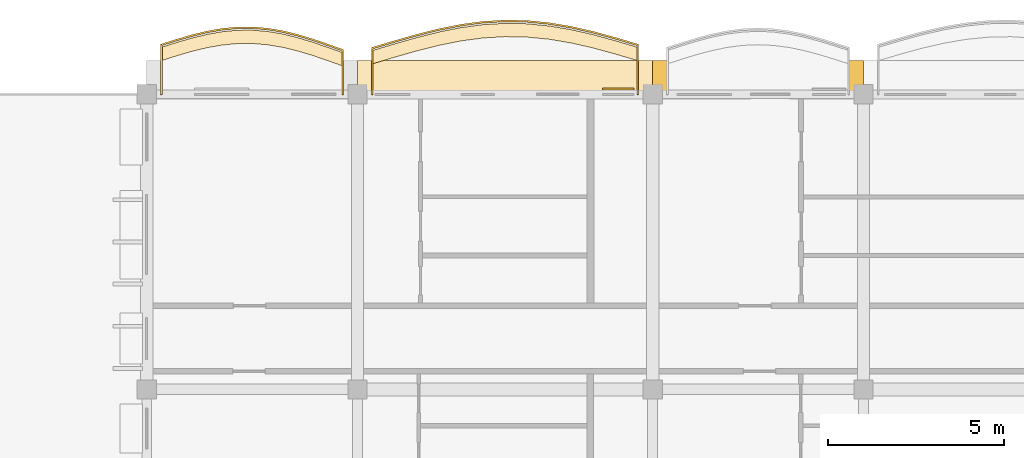
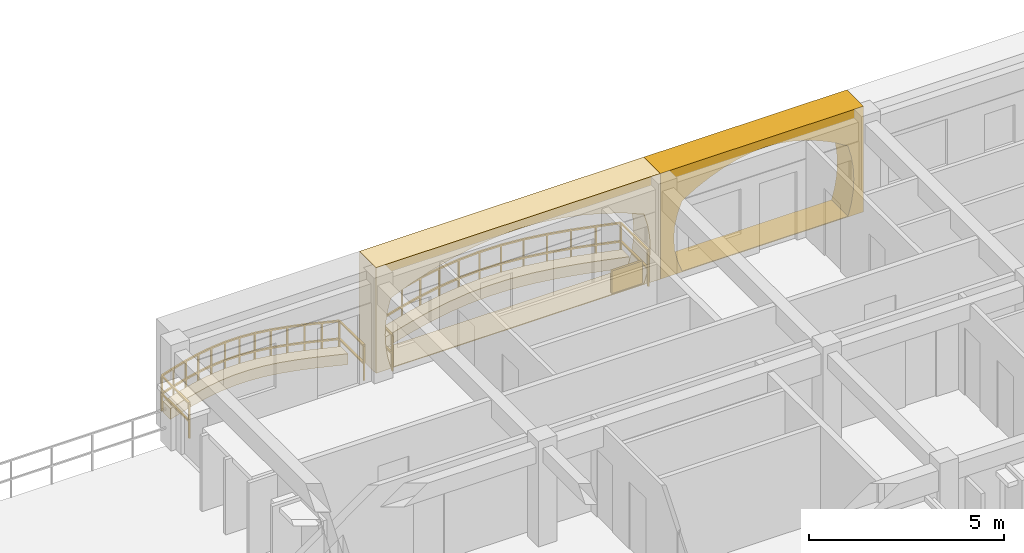
# One storey, part 40 of 45: 5 coverings, 2 railings.
"""IFC4 building model written with IfcOpenShell, lengths in metres."""

import ifcopenshell
import ifcopenshell.guid

model = None  # the IFC model being written
_history = None  # IfcOwnerHistory: only IFC2X3 demands one
_inside = {}  # id of a spatial element -> (the spatial element, [elements in it])
_under = {}  # id of a project, library or spatial element -> (it, [spatial elements below it])
_declared = {}  # id of a project -> (the project, [libraries it declares])
_typed = {}  # id of a type object -> (the type object, [elements of that type])
_made_of = {}  # id of a material, layer set ... -> (it, [elements and type objects made of it])


def new_model(schema):
    """Start an empty IFC model of exactly this schema.

    Asked for "IFC4X3", IfcOpenShell would pick the latest addendum, in which some entities
    have other attributes; the version numbers below select the first issue.
    IFC2X3 requires an IfcOwnerHistory on every rooted entity: one is made here for all.
    """
    global model, _history
    if schema == "IFC4X3":
        model = ifcopenshell.file(schema_version=(4, 3, 0, 0))
    else:
        model = ifcopenshell.file(schema=schema)
    _inside.clear()
    _under.clear()
    _declared.clear()
    _typed.clear()
    _made_of.clear()
    _history = None
    if model.schema == "IFC2X3":
        org = make("IfcOrganization", Name="unknown")
        user = make(
            "IfcPersonAndOrganization",
            ThePerson=make("IfcPerson", FamilyName="unknown"),
            TheOrganization=org,
        )
        app = make(
            "IfcApplication",
            ApplicationDeveloper=org,
            Version="unknown",
            ApplicationFullName="unknown",
            ApplicationIdentifier="unknown",
        )
        _history = make(
            "IfcOwnerHistory",
            OwningUser=user,
            OwningApplication=app,
            ChangeAction="ADDED",
            CreationDate=0,
        )
    return model


def make(cls, **values):
    """One entity of the class cls with the attributes given. An attribute that is None is left unset."""
    return model.create_entity(
        cls, **{name: value for name, value in values.items() if value is not None}
    )


def rooted(cls, **values):
    """An entity with a GlobalId (a new one), such as an element, a storey or a relation."""
    return make(cls, GlobalId=ifcopenshell.guid.new(), OwnerHistory=_history, **values)


def si_unit(unit_type, name, prefix=None):
    """IfcSIUnit, for example si_unit("LENGTHUNIT", "METRE", prefix="MILLI")."""
    return make("IfcSIUnit", UnitType=unit_type, Prefix=prefix, Name=name)


def assignment(units):
    """IfcUnitAssignment: the units of a project."""
    return None if units is None else make("IfcUnitAssignment", Units=units)


def point(xyz):
    """IfcCartesianPoint."""
    return None if xyz is None else make("IfcCartesianPoint", Coordinates=xyz)


def direction(xyz):
    """IfcDirection."""
    return None if xyz is None else make("IfcDirection", DirectionRatios=xyz)


def frame(location, z_axis=None, x_axis=None):
    """IfcAxis2Placement3D, a coordinate frame: its origin and axes. An axis left out is left unset."""
    return make(
        "IfcAxis2Placement3D",
        Location=point(location),
        Axis=direction(z_axis),
        RefDirection=direction(x_axis),
    )


def frame_2d(location, x_axis=None):
    """IfcAxis2Placement2D, a coordinate frame in the plane: its origin and x axis."""
    return make(
        "IfcAxis2Placement2D", Location=point(location), RefDirection=direction(x_axis)
    )


def origin():
    """The frame at (0, 0, 0) with its axes left unset."""
    return frame((0.0, 0.0, 0.0))


def origin_2d():
    """The frame at (0, 0) in the plane with its x axis left unset."""
    return frame_2d((0.0, 0.0))


def place(relative_to, where):
    """IfcLocalPlacement: puts the frame where relative to a parent placement (None: the world)."""
    return make(
        "IfcLocalPlacement", PlacementRelTo=relative_to, RelativePlacement=where
    )


def context(
    kind, dimensions, precision=None, world=None, true_north=None, identifier=None
):
    """IfcGeometricRepresentationContext, for example the 3D "Model" context."""
    return make(
        "IfcGeometricRepresentationContext",
        ContextIdentifier=identifier,
        ContextType=kind,
        CoordinateSpaceDimension=dimensions,
        Precision=precision,
        WorldCoordinateSystem=world,
        TrueNorth=true_north,
    )


def subcontext(parent, identifier, kind, view, scale=None):
    """IfcGeometricRepresentationSubContext, for example "Body" below "Model"."""
    return make(
        "IfcGeometricRepresentationSubContext",
        ContextIdentifier=identifier,
        ContextType=kind,
        ParentContext=parent,
        TargetScale=scale,
        TargetView=view,
    )


def project(units=None, contexts=None):
    """IfcProject with its units and contexts."""
    return rooted(
        "IfcProject",
        Name="project",
        RepresentationContexts=contexts,
        UnitsInContext=assignment(units),
    )


def spatial(cls, under=None, at=None, **own):
    """A site, building, storey or space (cls), placed at a placement, below another one or the project."""
    s = rooted(cls, ObjectPlacement=at, **own)
    if under is not None:
        _under.setdefault(under.id(), (under, []))[1].append(s)
    return s


def polyline(points):
    """IfcPolyline through the points."""
    return make("IfcPolyline", Points=[point(p) for p in points])


def profile(cls, at=None, kind="AREA", **sizes):
    """A parametric profile (cls). Its sizes go by their IFC names, for example OverallWidth=200.0."""
    return make(cls, ProfileType=kind, Position=at, **sizes)


def rectangle(**sizes):
    """IfcRectangleProfileDef."""
    return profile("IfcRectangleProfileDef", **sizes)


def outline(outer, holes=None, kind="AREA"):
    """IfcArbitraryClosedProfileDef: a profile drawn as a closed curve; with holes, ...WithVoids."""
    if holes is None:
        return make("IfcArbitraryClosedProfileDef", ProfileType=kind, OuterCurve=outer)
    return make(
        "IfcArbitraryProfileDefWithVoids",
        ProfileType=kind,
        OuterCurve=outer,
        InnerCurves=holes,
    )


def extrude(swept, where, along, depth):
    """IfcExtrudedAreaSolid: the profile swept, set in the frame where, extruded along a direction by depth."""
    return make(
        "IfcExtrudedAreaSolid",
        SweptArea=swept,
        Position=where,
        ExtrudedDirection=direction(along),
        Depth=depth,
    )


def shape(context_of_items, identifier, shape_type, items):
    """IfcShapeRepresentation: the items that make up one representation, for example the "Body"."""
    return make(
        "IfcShapeRepresentation",
        ContextOfItems=context_of_items,
        RepresentationIdentifier=identifier,
        RepresentationType=shape_type,
        Items=items,
    )


def material(Name=None, Category=None):
    """IfcMaterial."""
    return make("IfcMaterial", Name=Name, Category=Category)


def layer(
    of_material, thickness, ventilated=None, Name=None, Category=None, Priority=None
):
    """IfcMaterialLayer: one layer of a wall or slab, of a material (None: an air gap)."""
    return make(
        "IfcMaterialLayer",
        Material=of_material,
        LayerThickness=thickness,
        IsVentilated=ventilated,
        Name=Name,
        Category=Category,
        Priority=Priority,
    )


def layer_set(layers, Name=None):
    """IfcMaterialLayerSet."""
    return make("IfcMaterialLayerSet", MaterialLayers=layers, LayerSetName=Name)


def made_of(thing, what):
    """Note that an element or type object is made of a material, layer set ...; save() writes the relation."""
    if what is not None:
        _made_of.setdefault(what.id(), (what, []))[1].append(thing)
    return thing


def type_object(cls, material=None, **own):
    """A type object (cls), such as IfcWallType, which elements share."""
    return made_of(rooted(cls, **own), material)


def element(
    cls,
    number,
    at=None,
    inside=None,
    cuts=None,
    type_object=None,
    material=None,
    context=None,
    identifier="Body",
    shape_type=None,
    held_by="IfcProductDefinitionShape",
    body=None,
    shapes=None,
    **own,
):
    """One element of the class cls, such as IfcWall. Its Tag is "e" and its number.

    at: its placement. inside: the storey or other place that contains it. cuts: it is an
    opening in that element (IfcRelVoidsElement). A single representation is given by context,
    identifier, shape_type and body (its items); several are given by shapes. held_by: the class
    of the entity that holds the representations. save() writes the other relations.
    """
    e = rooted(cls, Tag="e%d" % number, ObjectPlacement=at, **own)
    if body is not None:
        shapes = [shape(context, identifier, shape_type, body)]
    if shapes is not None:
        e.Representation = make(held_by, Representations=shapes)
    if inside is not None:
        _inside.setdefault(inside.id(), (inside, []))[1].append(e)
    if cuts is not None:
        rooted(
            "IfcRelVoidsElement", RelatingBuildingElement=cuts, RelatedOpeningElement=e
        )
    if type_object is not None:
        _typed.setdefault(type_object.id(), (type_object, []))[1].append(e)
    return made_of(e, material)


def aggregate(whole, parts):
    """IfcRelAggregates: a whole, such as a stair, and the parts it consists of."""
    return rooted("IfcRelAggregates", RelatingObject=whole, RelatedObjects=parts)


def save(model, path):
    """Write the relations noted so far, then the file.

    IfcRelAggregates (storeys below a building ...), IfcRelContainedInSpatialStructure (elements
    in a storey), IfcRelDefinesByType, IfcRelAssociatesMaterial and IfcRelDeclares: one each for
    every whole, place, type object, material and project.
    """
    for whole, parts in _under.values():
        aggregate(whole, parts)
    for where, things in _inside.values():
        rooted(
            "IfcRelContainedInSpatialStructure",
            RelatedElements=things,
            RelatingStructure=where,
        )
    for kind, things in _typed.values():
        rooted("IfcRelDefinesByType", RelatedObjects=things, RelatingType=kind)
    for what, things in _made_of.values():
        rooted("IfcRelAssociatesMaterial", RelatedObjects=things, RelatingMaterial=what)
    for by, libraries in _declared.values():
        rooted("IfcRelDeclares", RelatingContext=by, RelatedDefinitions=libraries)
    model.write(path)


model = new_model("IFC4")

# Units and contexts
model_context = context("Model", 3, precision=1e-05, world=origin(), true_north=direction((0.0, 1.0)))
body_context = subcontext(model_context, "Body", "Model", "MODEL_VIEW")
ifc_project = project(units=[si_unit("LENGTHUNIT", "METRE"), si_unit("AREAUNIT", "SQUARE_METRE"), si_unit("VOLUMEUNIT", "CUBIC_METRE"), si_unit("PLANEANGLEUNIT", "RADIAN"), si_unit("MASSUNIT", "GRAM", prefix="KILO"), si_unit("THERMODYNAMICTEMPERATUREUNIT", "KELVIN")], contexts=[model_context])

# Site, building, storey
site_placement = place(None, origin())
site = spatial("IfcSite", under=ifc_project, at=site_placement, CompositionType="ELEMENT")
building_placement = place(site_placement, origin())
building = spatial("IfcBuilding", under=site, at=building_placement, Name="Thalorik Housing Commons", CompositionType="ELEMENT")
storey_placement = place(building_placement, frame((0.0, 0.0, 34.5)))
storey = spatial("IfcBuildingStorey", under=building, at=storey_placement, Name="L10", CompositionType="ELEMENT", Elevation=34.5)

# Coverings
ifc_material_1 = material(Name="Cobalt blue glazed ceramic facade tile panel", Category="masonry")
ifc_layer_1 = layer(ifc_material_1, 0.06005859375, Name="Cobalt blue glazed ceramic facade tile panel", Category="masonry")
ifc_layer_set_1 = layer_set([ifc_layer_1], Name="Cobalt blue glazed ceramic facade tile panel")
covering_type_1 = type_object("IfcCoveringType", Name="ARC-CLD-BLU-60", PredefinedType="CLADDING", material=ifc_layer_set_1)
covering_1_placement = place(storey_placement, frame((122.6201171875, 123.74755859375, 0.0498046875), z_axis=(0.0, 0.0, 1.0), x_axis=(-1.0, 0.0, 0.0)))
element("IfcCovering", 1, at=covering_1_placement, inside=storey, type_object=covering_type_1, Name="L10 De Stijl Recessed Window Spandrel 3051", PredefinedType="CLADDING", context=body_context, shape_type="SweptSolid", body=[
    extrude(rectangle(XDim=0.89990234375, YDim=0.06005859375, at=origin_2d()), origin(), (0.0, 0.0, 1.0), 0.699951171875),
])
ifc_material_2 = material(Name="Precast concrete C40/50", Category="concrete")
ifc_layer_2 = layer(ifc_material_2, 0.85009765625, Name="Precast concrete C40/50", Category="concrete")
ifc_layer_set_2 = layer_set([ifc_layer_2], Name="Precast concrete C40/50")
covering_type_2 = type_object("IfcCoveringType", Name="ARC-CLD-CUSH-850", PredefinedType="CLADDING", material=ifc_layer_set_2)
covering_2_placement = place(storey_placement, frame((126.60009765625, 124.137451171875, 0.0), z_axis=(0.0, 0.0, 1.0), x_axis=(-1.0, 0.0, 0.0)))
element("IfcCovering", 2, at=covering_2_placement, inside=storey, type_object=covering_type_2, Name="L10 White Precast Curved Cushion Bay Frame 3048", PredefinedType="CLADDING", context=body_context, shape_type="SweptSolid", body=[
    extrude(outline(polyline([(-3.0, 0.0), (3.0, 0.0), (3.0, 3.300048828125), (-3.0, 3.300048828125), (-3.0, 0.0)]), holes=[polyline([(2.356201171875, 0.02490234375), (2.4921875, 0.390869140625), (2.57373046875, 0.756591796875), (2.600830078125, 1.12255859375), (2.57373046875, 1.48828125), (2.4921875, 1.854248046875), (2.356201171875, 2.219970703125), (1.947998046875, 2.469482421875), (1.53955078125, 2.66552734375), (1.131103515625, 2.824462890625), (0.722900390625, 2.9423828125), (0.314453125, 3.015380859375), (-0.09375, 3.0400390625), (-0.502197265625, 3.015380859375), (-0.910400390625, 2.9423828125), (-1.31884765625, 2.824462890625), (-1.72705078125, 2.66552734375), (-2.135498046875, 2.469482421875), (-2.543701171875, 2.219970703125), (-2.64013671875, 1.854248046875), (-2.697998046875, 1.48828125), (-2.71728515625, 1.12255859375), (-2.697998046875, 0.756591796875), (-2.64013671875, 0.390869140625), (-2.543701171875, 0.02490234375), (2.356201171875, 0.02490234375)])]), frame((0.0, 0.425048828125, 0.0), z_axis=(0.0, -1.0, 0.0), x_axis=(1.0, 0.0, 0.0)), (0.0, 0.0, 1.0), 0.85009765625),
])
covering_3_placement = place(storey_placement, frame((119.39990234375, 124.137451171875, 0.0), z_axis=(0.0, 0.0, 1.0), x_axis=(-1.0, 0.0, 0.0)))
element("IfcCovering", 3, at=covering_3_placement, inside=storey, type_object=covering_type_2, Name="L10 White Precast Curved Cushion Bay Frame 3050", PredefinedType="CLADDING", context=body_context, shape_type="SweptSolid", body=[
    extrude(outline(polyline([(-4.199951171875, 0.0), (4.199951171875, 0.0), (4.199951171875, 3.300048828125), (-4.199951171875, 3.300048828125), (-4.199951171875, 0.0)]), holes=[polyline([(3.75830078125, 0.02490234375), (3.8515625, 0.387451171875), (3.907470703125, 0.75), (3.926025390625, 1.112548828125), (3.907470703125, 1.47509765625), (3.8515625, 1.83740234375), (3.75830078125, 2.199951171875), (3.135009765625, 2.455810546875), (2.51171875, 2.656494140625), (1.888671875, 2.819091796875), (1.265380859375, 2.940185546875), (0.642333984375, 3.014892578125), (0.01904296875, 3.0400390625), (-0.60400390625, 3.014892578125), (-1.227294921875, 2.940185546875), (-1.850341796875, 2.819091796875), (-2.4736328125, 2.656494140625), (-3.0966796875, 2.455810546875), (-3.719970703125, 2.199951171875), (-3.8212890625, 1.83740234375), (-3.882080078125, 1.47509765625), (-3.90234375, 1.112548828125), (-3.882080078125, 0.75), (-3.8212890625, 0.387451171875), (-3.719970703125, 0.02490234375), (3.75830078125, 0.02490234375)])]), frame((0.0, 0.425048828125, 0.0), z_axis=(0.0, -1.0, 0.0), x_axis=(1.0, 0.0, 0.0)), (0.0, 0.0, 1.0), 0.85009765625),
])
ifc_material_3 = material(Name="Planted vegetated substrate and terracotta trough", Category="masonry")
ifc_layer_3 = layer(ifc_material_3, 0.340087890625, Name="Planted vegetated substrate and terracotta trough", Category="masonry")
ifc_layer_set_3 = layer_set([ifc_layer_3], Name="Planted vegetated substrate and terracotta trough")
covering_type_3 = type_object("IfcCoveringType", Name="ARC-COV-PLANTER", PredefinedType="USERDEFINED", material=ifc_layer_set_3)
covering_4_placement = place(storey_placement, origin())
element("IfcCovering", 4, at=covering_4_placement, inside=storey, type_object=covering_type_3, Name="L10 Balcony Slab-Edge Planted Trough 5540", ObjectType="PLANTER", PredefinedType="USERDEFINED", context=body_context, shape_type="SweptSolid", body=[
    extrude(outline(polyline([(114.780029296875, 124.786865234375), (114.35009765625, 124.939697265625), (113.919921875, 125.086181640625), (113.489990234375, 125.2158203125), (113.06005859375, 125.31982421875), (112.6298828125, 125.391845703125), (112.199951171875, 125.427001953125), (111.77001953125, 125.423095703125), (111.340087890625, 125.381591796875), (110.909912109375, 125.305419921875), (110.47998046875, 125.20068359375), (110.050048828125, 125.075439453125), (109.6201171875, 124.938720703125), (109.6201171875, 124.55859375), (110.050048828125, 124.695556640625), (110.47998046875, 124.82080078125), (110.909912109375, 124.925537109375), (111.340087890625, 125.001708984375), (111.77001953125, 125.043212890625), (112.199951171875, 125.046875), (112.6298828125, 125.01171875), (113.06005859375, 124.93994140625), (113.489990234375, 124.835693359375), (113.919921875, 124.7060546875), (114.35009765625, 124.559814453125), (114.780029296875, 124.40673828125), (114.780029296875, 124.786865234375)])), origin(), (0.0, 0.0, 1.0), 0.340087890625),
])
covering_5_placement = place(storey_placement, origin())
element("IfcCovering", 5, at=covering_5_placement, inside=storey, type_object=covering_type_3, Name="L10 Balcony Slab-Edge Planted Trough 5541", ObjectType="PLANTER", PredefinedType="USERDEFINED", context=body_context, shape_type="SweptSolid", body=[
    extrude(outline(polyline([(123.179931640625, 124.935791015625), (122.550048828125, 125.12353515625), (121.919921875, 125.29541015625), (121.2900390625, 125.439697265625), (120.659912109375, 125.54638671875), (120.030029296875, 125.6083984375), (119.39990234375, 125.620849609375), (118.77001953125, 125.58349609375), (118.139892578125, 125.4990234375), (117.510009765625, 125.372802734375), (116.8798828125, 125.21435546875), (116.25, 125.0341796875), (115.6201171875, 124.844970703125), (115.6201171875, 124.465087890625), (116.25, 124.654296875), (116.8798828125, 124.834228515625), (117.510009765625, 124.992919921875), (118.139892578125, 125.118896484375), (118.77001953125, 125.20361328125), (119.39990234375, 125.240966796875), (120.030029296875, 125.228271484375), (120.659912109375, 125.16650390625), (121.2900390625, 125.059814453125), (121.919921875, 124.91552734375), (122.550048828125, 124.743408203125), (123.179931640625, 124.555908203125), (123.179931640625, 124.935791015625)])), origin(), (0.0, 0.0, 1.0), 0.340087890625),
])

# Railings
ifc_material_4 = material(Name="Steel S355", Category="steel")
railing_type_1 = type_object("IfcRailingType", Name="ARC-RL-BAL-112", PredefinedType="BALUSTRADE", material=ifc_material_4)
railing_1_placement = place(storey_placement, frame((114.780029296875, 123.60009765625, 0.0)))
element("IfcRailing", 6, at=railing_1_placement, inside=storey, type_object=railing_type_1, Name="L10 Cushion Balcony Guardrail 224", PredefinedType="BALUSTRADE", context=body_context, shape_type="SweptSolid", body=[
    extrude(rectangle(XDim=0.050048828125, YDim=0.050048828125, at=origin_2d()), frame((0.0, 0.0, 1.09521484375), z_axis=(0.0, 1.0, 0.0), x_axis=(-1.0, 0.0, 0.0)), (0.0, 0.0, 1.0), 1.256591796875),
    extrude(rectangle(XDim=0.050048828125, YDim=0.050048828125, at=origin_2d()), frame((0.0, 0.0, 0.53515625), z_axis=(0.0, 1.0, 0.0), x_axis=(-1.0, 0.0, 0.0)), (0.0, 0.0, 1.0), 1.256591796875),
    extrude(rectangle(XDim=0.050048828125, YDim=0.050048828125, at=origin_2d()), frame((0.0, 1.256591796875, 1.09521484375), z_axis=(-0.942068253885, 0.335421235199, 0.0), x_axis=(-0.335421235199, -0.942068253885, 0.0)), (0.0, 0.0, 1.0), 0.456298828125),
    extrude(rectangle(XDim=0.050048828125, YDim=0.050048828125, at=origin_2d()), frame((0.0, 1.256591796875, 0.53515625), z_axis=(-0.942068253885, 0.335421235199, 0.0), x_axis=(-0.335421235199, -0.942068253885, 0.0)), (0.0, 0.0, 1.0), 0.456298828125),
    extrude(rectangle(XDim=0.050048828125, YDim=0.050048828125, at=origin_2d()), frame((-0.429931640625, 1.40966796875, 1.09521484375), z_axis=(-0.94678584509, 0.321864200459, 0.0), x_axis=(-0.321864200459, -0.94678584509, 0.0)), (0.0, 0.0, 1.0), 0.454345703125),
    extrude(rectangle(XDim=0.050048828125, YDim=0.050048828125, at=origin_2d()), frame((-0.429931640625, 1.40966796875, 0.53515625), z_axis=(-0.94678584509, 0.321864200459, 0.0), x_axis=(-0.321864200459, -0.94678584509, 0.0)), (0.0, 0.0, 1.0), 0.454345703125),
    extrude(rectangle(XDim=0.050048828125, YDim=0.050048828125, at=origin_2d()), frame((-0.860107421875, 1.555908203125, 1.09521484375), z_axis=(-0.957421319012, 0.28869433299, 0.0), x_axis=(-0.28869433299, -0.957421319012, 0.0)), (0.0, 0.0, 1.0), 0.448974609375),
    extrude(rectangle(XDim=0.050048828125, YDim=0.050048828125, at=origin_2d()), frame((-0.860107421875, 1.555908203125, 0.53515625), z_axis=(-0.957421319012, 0.28869433299, 0.0), x_axis=(-0.28869433299, -0.957421319012, 0.0)), (0.0, 0.0, 1.0), 0.448974609375),
    extrude(rectangle(XDim=0.050048828125, YDim=0.050048828125, at=origin_2d()), frame((-1.2900390625, 1.685546875, 1.09521484375), z_axis=(-0.971838617266, 0.235647410319, 0.0), x_axis=(-0.235647410319, -0.971838617266, 0.0)), (0.0, 0.0, 1.0), 0.4423828125),
    extrude(rectangle(XDim=0.050048828125, YDim=0.050048828125, at=origin_2d()), frame((-1.2900390625, 1.685546875, 0.53515625), z_axis=(-0.971838617266, 0.235647410319, 0.0), x_axis=(-0.235647410319, -0.971838617266, 0.0)), (0.0, 0.0, 1.0), 0.4423828125),
    extrude(rectangle(XDim=0.050048828125, YDim=0.050048828125, at=origin_2d()), frame((-1.719970703125, 1.789794921875, 1.09521484375), z_axis=(-0.986272630359, 0.165125099862, 0.0), x_axis=(-0.165125099862, -0.986272630359, 0.0)), (0.0, 0.0, 1.0), 0.436279296875),
    extrude(rectangle(XDim=0.050048828125, YDim=0.050048828125, at=origin_2d()), frame((-1.719970703125, 1.789794921875, 0.53515625), z_axis=(-0.986272630359, 0.165125099862, 0.0), x_axis=(-0.165125099862, -0.986272630359, 0.0)), (0.0, 0.0, 1.0), 0.436279296875),
    extrude(rectangle(XDim=0.050048828125, YDim=0.050048828125, at=origin_2d()), frame((-2.150146484375, 1.86181640625, 1.09521484375), z_axis=(-0.996719183002, 0.080937446433, 0.0), x_axis=(-0.080937446433, -0.996719183002, 0.0)), (0.0, 0.0, 1.0), 0.431396484375),
    extrude(rectangle(XDim=0.050048828125, YDim=0.050048828125, at=origin_2d()), frame((-2.150146484375, 1.86181640625, 0.53515625), z_axis=(-0.996719183002, 0.080937446433, 0.0), x_axis=(-0.080937446433, -0.996719183002, 0.0)), (0.0, 0.0, 1.0), 0.431396484375),
    extrude(rectangle(XDim=0.050048828125, YDim=0.050048828125, at=origin_2d()), frame((-2.580078125, 1.896728515625, 1.09521484375), z_axis=(-0.99996372477, -0.008517578576, 0.0), x_axis=(0.008517578576, -0.99996372477, 0.0)), (0.0, 0.0, 1.0), 0.429931640625),
    extrude(rectangle(XDim=0.050048828125, YDim=0.050048828125, at=origin_2d()), frame((-2.580078125, 1.896728515625, 0.53515625), z_axis=(-0.99996372477, -0.008517578576, 0.0), x_axis=(0.008517578576, -0.99996372477, 0.0)), (0.0, 0.0, 1.0), 0.429931640625),
    extrude(rectangle(XDim=0.050048828125, YDim=0.050048828125, at=origin_2d()), frame((-3.010009765625, 1.89306640625, 1.09521484375), z_axis=(-0.995372711657, -0.096089358877, 0.0), x_axis=(0.096089358877, -0.995372711657, 0.0)), (0.0, 0.0, 1.0), 0.431884765625),
    extrude(rectangle(XDim=0.050048828125, YDim=0.050048828125, at=origin_2d()), frame((-3.010009765625, 1.89306640625, 0.53515625), z_axis=(-0.995372711657, -0.096089358877, 0.0), x_axis=(0.096089358877, -0.995372711657, 0.0)), (0.0, 0.0, 1.0), 0.431884765625),
    extrude(rectangle(XDim=0.050048828125, YDim=0.050048828125, at=origin_2d()), frame((-3.43994140625, 1.8515625, 1.09521484375), z_axis=(-0.984682124694, -0.174359150343, 0.0), x_axis=(0.174359150343, -0.984682124694, 0.0)), (0.0, 0.0, 1.0), 0.436767578125),
    extrude(rectangle(XDim=0.050048828125, YDim=0.050048828125, at=origin_2d()), frame((-3.43994140625, 1.8515625, 0.53515625), z_axis=(-0.984682124694, -0.174359150343, 0.0), x_axis=(0.174359150343, -0.984682124694, 0.0)), (0.0, 0.0, 1.0), 0.436767578125),
    extrude(rectangle(XDim=0.050048828125, YDim=0.050048828125, at=origin_2d()), frame((-3.8701171875, 1.775390625, 1.09521484375), z_axis=(-0.971585356615, -0.236689448034, 0.0), x_axis=(0.236689448034, -0.971585356615, 0.0)), (0.0, 0.0, 1.0), 0.442626953125),
    extrude(rectangle(XDim=0.050048828125, YDim=0.050048828125, at=origin_2d()), frame((-3.8701171875, 1.775390625, 0.53515625), z_axis=(-0.971585356615, -0.236689448034, 0.0), x_axis=(0.236689448034, -0.971585356615, 0.0)), (0.0, 0.0, 1.0), 0.442626953125),
    extrude(rectangle(XDim=0.050048828125, YDim=0.050048828125, at=origin_2d()), frame((-4.300048828125, 1.670654296875, 1.09521484375), z_axis=(-0.960091541697, -0.27968595167, 0.0), x_axis=(0.27968595167, -0.960091541697, 0.0)), (0.0, 0.0, 1.0), 0.44775390625),
    extrude(rectangle(XDim=0.050048828125, YDim=0.050048828125, at=origin_2d()), frame((-4.300048828125, 1.670654296875, 0.53515625), z_axis=(-0.960091541697, -0.27968595167, 0.0), x_axis=(0.27968595167, -0.960091541697, 0.0)), (0.0, 0.0, 1.0), 0.44775390625),
    extrude(rectangle(XDim=0.050048828125, YDim=0.050048828125, at=origin_2d()), frame((-4.72998046875, 1.54541015625, 1.09521484375), z_axis=(-0.952975516976, -0.30304729671, 0.0), x_axis=(0.30304729671, -0.952975516976, 0.0)), (0.0, 0.0, 1.0), 0.451171875),
    extrude(rectangle(XDim=0.050048828125, YDim=0.050048828125, at=origin_2d()), frame((-4.72998046875, 1.54541015625, 0.53515625), z_axis=(-0.952975516976, -0.30304729671, 0.0), x_axis=(0.30304729671, -0.952975516976, 0.0)), (0.0, 0.0, 1.0), 0.451171875),
    extrude(rectangle(XDim=0.050048828125, YDim=0.050048828125, at=origin_2d()), frame((-5.159912109375, 1.40869140625, 1.09521484375), z_axis=(0.0, -1.0, 0.0), x_axis=(1.0, 0.0, 0.0)), (0.0, 0.0, 1.0), 1.40869140625),
    extrude(rectangle(XDim=0.050048828125, YDim=0.050048828125, at=origin_2d()), frame((-5.159912109375, 1.40869140625, 0.53515625), z_axis=(0.0, -1.0, 0.0), x_axis=(1.0, 0.0, 0.0)), (0.0, 0.0, 1.0), 1.40869140625),
    extrude(rectangle(XDim=0.0419921875, YDim=0.0419921875, at=origin_2d()), origin(), (0.0, 0.0, 1.0), 1.070068359375),
    extrude(rectangle(XDim=0.0419921875, YDim=0.0419921875, at=origin_2d()), frame((0.0, 1.256591796875, 0.0)), (0.0, 0.0, 1.0), 1.070068359375),
    extrude(rectangle(XDim=0.0419921875, YDim=0.0419921875, at=origin_2d()), frame((-0.429931640625, 1.40966796875, 0.0)), (0.0, 0.0, 1.0), 1.070068359375),
    extrude(rectangle(XDim=0.0419921875, YDim=0.0419921875, at=origin_2d()), frame((-0.860107421875, 1.555908203125, 0.0)), (0.0, 0.0, 1.0), 1.070068359375),
    extrude(rectangle(XDim=0.0419921875, YDim=0.0419921875, at=origin_2d()), frame((-1.2900390625, 1.685546875, 0.0)), (0.0, 0.0, 1.0), 1.070068359375),
    extrude(rectangle(XDim=0.0419921875, YDim=0.0419921875, at=origin_2d()), frame((-1.719970703125, 1.789794921875, 0.0)), (0.0, 0.0, 1.0), 1.070068359375),
    extrude(rectangle(XDim=0.0419921875, YDim=0.0419921875, at=origin_2d()), frame((-2.150146484375, 1.86181640625, 0.0)), (0.0, 0.0, 1.0), 1.070068359375),
    extrude(rectangle(XDim=0.0419921875, YDim=0.0419921875, at=origin_2d()), frame((-2.580078125, 1.896728515625, 0.0)), (0.0, 0.0, 1.0), 1.070068359375),
    extrude(rectangle(XDim=0.0419921875, YDim=0.0419921875, at=origin_2d()), frame((-3.010009765625, 1.89306640625, 0.0)), (0.0, 0.0, 1.0), 1.070068359375),
    extrude(rectangle(XDim=0.0419921875, YDim=0.0419921875, at=origin_2d()), frame((-3.43994140625, 1.8515625, 0.0)), (0.0, 0.0, 1.0), 1.070068359375),
    extrude(rectangle(XDim=0.0419921875, YDim=0.0419921875, at=origin_2d()), frame((-3.8701171875, 1.775390625, 0.0)), (0.0, 0.0, 1.0), 1.070068359375),
    extrude(rectangle(XDim=0.0419921875, YDim=0.0419921875, at=origin_2d()), frame((-4.300048828125, 1.670654296875, 0.0)), (0.0, 0.0, 1.0), 1.070068359375),
    extrude(rectangle(XDim=0.0419921875, YDim=0.0419921875, at=origin_2d()), frame((-4.72998046875, 1.54541015625, 0.0)), (0.0, 0.0, 1.0), 1.070068359375),
    extrude(rectangle(XDim=0.0419921875, YDim=0.0419921875, at=origin_2d()), frame((-5.159912109375, 1.40869140625, 0.0)), (0.0, 0.0, 1.0), 1.070068359375),
    extrude(rectangle(XDim=0.0419921875, YDim=0.0419921875, at=origin_2d()), frame((-5.159912109375, 0.0, 0.0)), (0.0, 0.0, 1.0), 1.070068359375),
])
railing_type_2 = type_object("IfcRailingType", Name="ARC-RL-BAL-115", PredefinedType="BALUSTRADE", material=ifc_material_4)
railing_2_placement = place(storey_placement, frame((123.179931640625, 123.60009765625, 0.0)))
element("IfcRailing", 7, at=railing_2_placement, inside=storey, type_object=railing_type_2, Name="L10 Cushion Balcony Guardrail 225", PredefinedType="BALUSTRADE", context=body_context, shape_type="SweptSolid", body=[
    extrude(rectangle(XDim=0.050048828125, YDim=0.050048828125, at=origin_2d()), frame((0.0, 0.0, 1.125), z_axis=(0.0, 1.0, 0.0), x_axis=(-1.0, 0.0, 0.0)), (0.0, 0.0, 1.0), 1.40576171875),
    extrude(rectangle(XDim=0.050048828125, YDim=0.050048828125, at=origin_2d()), frame((0.0, 0.0, 0.5498046875), z_axis=(0.0, 1.0, 0.0), x_axis=(-1.0, 0.0, 0.0)), (0.0, 0.0, 1.0), 1.40576171875),
    extrude(rectangle(XDim=0.050048828125, YDim=0.050048828125, at=origin_2d()), frame((0.0, 1.40576171875, 1.125), z_axis=(-0.958335936708, 0.285643540825, 0.0), x_axis=(-0.285643540825, -0.958335936708, 0.0)), (0.0, 0.0, 1.0), 0.6572265625),
    extrude(rectangle(XDim=0.050048828125, YDim=0.050048828125, at=origin_2d()), frame((0.0, 1.40576171875, 0.5498046875), z_axis=(-0.958335936708, 0.285643540825, 0.0), x_axis=(-0.285643540825, -0.958335936708, 0.0)), (0.0, 0.0, 1.0), 0.6572265625),
    extrude(rectangle(XDim=0.050048828125, YDim=0.050048828125, at=origin_2d()), frame((-0.6298828125, 1.593505859375, 1.125), z_axis=(-0.964755194768, 0.26314903414, 0.0), x_axis=(-0.26314903414, -0.964755194768, 0.0)), (0.0, 0.0, 1.0), 0.653076171875),
    extrude(rectangle(XDim=0.050048828125, YDim=0.050048828125, at=origin_2d()), frame((-0.6298828125, 1.593505859375, 0.5498046875), z_axis=(-0.964755194768, 0.26314903414, 0.0), x_axis=(-0.26314903414, -0.964755194768, 0.0)), (0.0, 0.0, 1.0), 0.653076171875),
    extrude(rectangle(XDim=0.050048828125, YDim=0.050048828125, at=origin_2d()), frame((-1.260009765625, 1.765380859375, 1.125), z_axis=(-0.97475287979, 0.223286415487, 0.0), x_axis=(-0.223286415487, -0.97475287979, 0.0)), (0.0, 0.0, 1.0), 0.646240234375),
    extrude(rectangle(XDim=0.050048828125, YDim=0.050048828125, at=origin_2d()), frame((-1.260009765625, 1.765380859375, 0.5498046875), z_axis=(-0.97475287979, 0.223286415487, 0.0), x_axis=(-0.223286415487, -0.97475287979, 0.0)), (0.0, 0.0, 1.0), 0.646240234375),
    extrude(rectangle(XDim=0.050048828125, YDim=0.050048828125, at=origin_2d()), frame((-1.889892578125, 1.90966796875, 1.125), z_axis=(-0.98596734574, 0.166938291394, 0.0), x_axis=(-0.166938291394, -0.98596734574, 0.0)), (0.0, 0.0, 1.0), 0.63916015625),
    extrude(rectangle(XDim=0.050048828125, YDim=0.050048828125, at=origin_2d()), frame((-1.889892578125, 1.90966796875, 0.5498046875), z_axis=(-0.98596734574, 0.166938291394, 0.0), x_axis=(-0.166938291394, -0.98596734574, 0.0)), (0.0, 0.0, 1.0), 0.63916015625),
    extrude(rectangle(XDim=0.050048828125, YDim=0.050048828125, at=origin_2d()), frame((-2.52001953125, 2.016357421875, 1.125), z_axis=(-0.995226321439, 0.097593898963, 0.0), x_axis=(-0.097593898963, -0.995226321439, 0.0)), (0.0, 0.0, 1.0), 0.6328125),
    extrude(rectangle(XDim=0.050048828125, YDim=0.050048828125, at=origin_2d()), frame((-2.52001953125, 2.016357421875, 0.5498046875), z_axis=(-0.995226321439, 0.097593898963, 0.0), x_axis=(-0.097593898963, -0.995226321439, 0.0)), (0.0, 0.0, 1.0), 0.6328125),
    extrude(rectangle(XDim=0.050048828125, YDim=0.050048828125, at=origin_2d()), frame((-3.14990234375, 2.078125, 1.125), z_axis=(-0.999797106332, 0.020143142011, 0.0), x_axis=(-0.020143142011, -0.999797106332, 0.0)), (0.0, 0.0, 1.0), 0.63037109375),
    extrude(rectangle(XDim=0.050048828125, YDim=0.050048828125, at=origin_2d()), frame((-3.14990234375, 2.078125, 0.5498046875), z_axis=(-0.999797106332, 0.020143142011, 0.0), x_axis=(-0.020143142011, -0.999797106332, 0.0)), (0.0, 0.0, 1.0), 0.63037109375),
    extrude(rectangle(XDim=0.050048828125, YDim=0.050048828125, at=origin_2d()), frame((-3.780029296875, 2.0908203125, 1.125), z_axis=(-0.998246241406, -0.059198323618, 0.0), x_axis=(0.059198323618, -0.998246241406, 0.0)), (0.0, 0.0, 1.0), 0.631103515625),
    extrude(rectangle(XDim=0.050048828125, YDim=0.050048828125, at=origin_2d()), frame((-3.780029296875, 2.0908203125, 0.5498046875), z_axis=(-0.998246241406, -0.059198323618, 0.0), x_axis=(0.059198323618, -0.998246241406, 0.0)), (0.0, 0.0, 1.0), 0.631103515625),
    extrude(rectangle(XDim=0.050048828125, YDim=0.050048828125, at=origin_2d()), frame((-4.409912109375, 2.053466796875, 1.125), z_axis=(-0.99113374372, -0.132867987341, 0.0), x_axis=(0.132867987341, -0.99113374372, 0.0)), (0.0, 0.0, 1.0), 0.6357421875),
    extrude(rectangle(XDim=0.050048828125, YDim=0.050048828125, at=origin_2d()), frame((-4.409912109375, 2.053466796875, 0.5498046875), z_axis=(-0.99113374372, -0.132867987341, 0.0), x_axis=(0.132867987341, -0.99113374372, 0.0)), (0.0, 0.0, 1.0), 0.6357421875),
    extrude(rectangle(XDim=0.050048828125, YDim=0.050048828125, at=origin_2d()), frame((-5.0400390625, 1.968994140625, 1.125), z_axis=(-0.980507522663, -0.196481546208, 0.0), x_axis=(0.196481546208, -0.980507522663, 0.0)), (0.0, 0.0, 1.0), 0.642333984375),
    extrude(rectangle(XDim=0.050048828125, YDim=0.050048828125, at=origin_2d()), frame((-5.0400390625, 1.968994140625, 0.5498046875), z_axis=(-0.980507522663, -0.196481546208, 0.0), x_axis=(0.196481546208, -0.980507522663, 0.0)), (0.0, 0.0, 1.0), 0.642333984375),
    extrude(rectangle(XDim=0.050048828125, YDim=0.050048828125, at=origin_2d()), frame((-5.669921875, 1.8427734375, 1.125), z_axis=(-0.969721129013, -0.244214929817, 0.0), x_axis=(0.244214929817, -0.969721129013, 0.0)), (0.0, 0.0, 1.0), 0.64990234375),
    extrude(rectangle(XDim=0.050048828125, YDim=0.050048828125, at=origin_2d()), frame((-5.669921875, 1.8427734375, 0.5498046875), z_axis=(-0.969721129013, -0.244214929817, 0.0), x_axis=(0.244214929817, -0.969721129013, 0.0)), (0.0, 0.0, 1.0), 0.64990234375),
    extrude(rectangle(XDim=0.050048828125, YDim=0.050048828125, at=origin_2d()), frame((-6.300048828125, 1.68408203125, 1.125), z_axis=(-0.961538010122, -0.274671904442, 0.0), x_axis=(0.274671904442, -0.961538010122, 0.0)), (0.0, 0.0, 1.0), 0.655029296875),
    extrude(rectangle(XDim=0.050048828125, YDim=0.050048828125, at=origin_2d()), frame((-6.300048828125, 1.68408203125, 0.5498046875), z_axis=(-0.961538010122, -0.274671904442, 0.0), x_axis=(0.274671904442, -0.961538010122, 0.0)), (0.0, 0.0, 1.0), 0.655029296875),
    extrude(rectangle(XDim=0.050048828125, YDim=0.050048828125, at=origin_2d()), frame((-6.929931640625, 1.504150390625, 1.125), z_axis=(-0.957724056546, -0.287688427839, 0.0), x_axis=(0.287688427839, -0.957724056546, 0.0)), (0.0, 0.0, 1.0), 0.65771484375),
    extrude(rectangle(XDim=0.050048828125, YDim=0.050048828125, at=origin_2d()), frame((-6.929931640625, 1.504150390625, 0.5498046875), z_axis=(-0.957724056546, -0.287688427839, 0.0), x_axis=(0.287688427839, -0.957724056546, 0.0)), (0.0, 0.0, 1.0), 0.65771484375),
    extrude(rectangle(XDim=0.050048828125, YDim=0.050048828125, at=origin_2d()), frame((-7.559814453125, 1.31494140625, 1.125), z_axis=(0.0, -1.0, 0.0), x_axis=(1.0, 0.0, 0.0)), (0.0, 0.0, 1.0), 1.31494140625),
    extrude(rectangle(XDim=0.050048828125, YDim=0.050048828125, at=origin_2d()), frame((-7.559814453125, 1.31494140625, 0.5498046875), z_axis=(0.0, -1.0, 0.0), x_axis=(1.0, 0.0, 0.0)), (0.0, 0.0, 1.0), 1.31494140625),
    extrude(rectangle(XDim=0.0419921875, YDim=0.0419921875, at=origin_2d()), origin(), (0.0, 0.0, 1.0), 1.099853515625),
    extrude(rectangle(XDim=0.0419921875, YDim=0.0419921875, at=origin_2d()), frame((0.0, 1.40576171875, 0.0)), (0.0, 0.0, 1.0), 1.099853515625),
    extrude(rectangle(XDim=0.0419921875, YDim=0.0419921875, at=origin_2d()), frame((-0.6298828125, 1.593505859375, 0.0)), (0.0, 0.0, 1.0), 1.099853515625),
    extrude(rectangle(XDim=0.0419921875, YDim=0.0419921875, at=origin_2d()), frame((-1.260009765625, 1.765380859375, 0.0)), (0.0, 0.0, 1.0), 1.099853515625),
    extrude(rectangle(XDim=0.0419921875, YDim=0.0419921875, at=origin_2d()), frame((-1.889892578125, 1.90966796875, 0.0)), (0.0, 0.0, 1.0), 1.099853515625),
    extrude(rectangle(XDim=0.0419921875, YDim=0.0419921875, at=origin_2d()), frame((-2.52001953125, 2.016357421875, 0.0)), (0.0, 0.0, 1.0), 1.099853515625),
    extrude(rectangle(XDim=0.0419921875, YDim=0.0419921875, at=origin_2d()), frame((-3.14990234375, 2.078125, 0.0)), (0.0, 0.0, 1.0), 1.099853515625),
    extrude(rectangle(XDim=0.0419921875, YDim=0.0419921875, at=origin_2d()), frame((-3.780029296875, 2.0908203125, 0.0)), (0.0, 0.0, 1.0), 1.099853515625),
    extrude(rectangle(XDim=0.0419921875, YDim=0.0419921875, at=origin_2d()), frame((-4.409912109375, 2.053466796875, 0.0)), (0.0, 0.0, 1.0), 1.099853515625),
    extrude(rectangle(XDim=0.0419921875, YDim=0.0419921875, at=origin_2d()), frame((-5.0400390625, 1.968994140625, 0.0)), (0.0, 0.0, 1.0), 1.099853515625),
    extrude(rectangle(XDim=0.0419921875, YDim=0.0419921875, at=origin_2d()), frame((-5.669921875, 1.8427734375, 0.0)), (0.0, 0.0, 1.0), 1.099853515625),
    extrude(rectangle(XDim=0.0419921875, YDim=0.0419921875, at=origin_2d()), frame((-6.300048828125, 1.68408203125, 0.0)), (0.0, 0.0, 1.0), 1.099853515625),
    extrude(rectangle(XDim=0.0419921875, YDim=0.0419921875, at=origin_2d()), frame((-6.929931640625, 1.504150390625, 0.0)), (0.0, 0.0, 1.0), 1.099853515625),
    extrude(rectangle(XDim=0.0419921875, YDim=0.0419921875, at=origin_2d()), frame((-7.559814453125, 1.31494140625, 0.0)), (0.0, 0.0, 1.0), 1.099853515625),
    extrude(rectangle(XDim=0.0419921875, YDim=0.0419921875, at=origin_2d()), frame((-7.559814453125, 0.0, 0.0)), (0.0, 0.0, 1.0), 1.099853515625),
])

save(model, "model.ifc")
